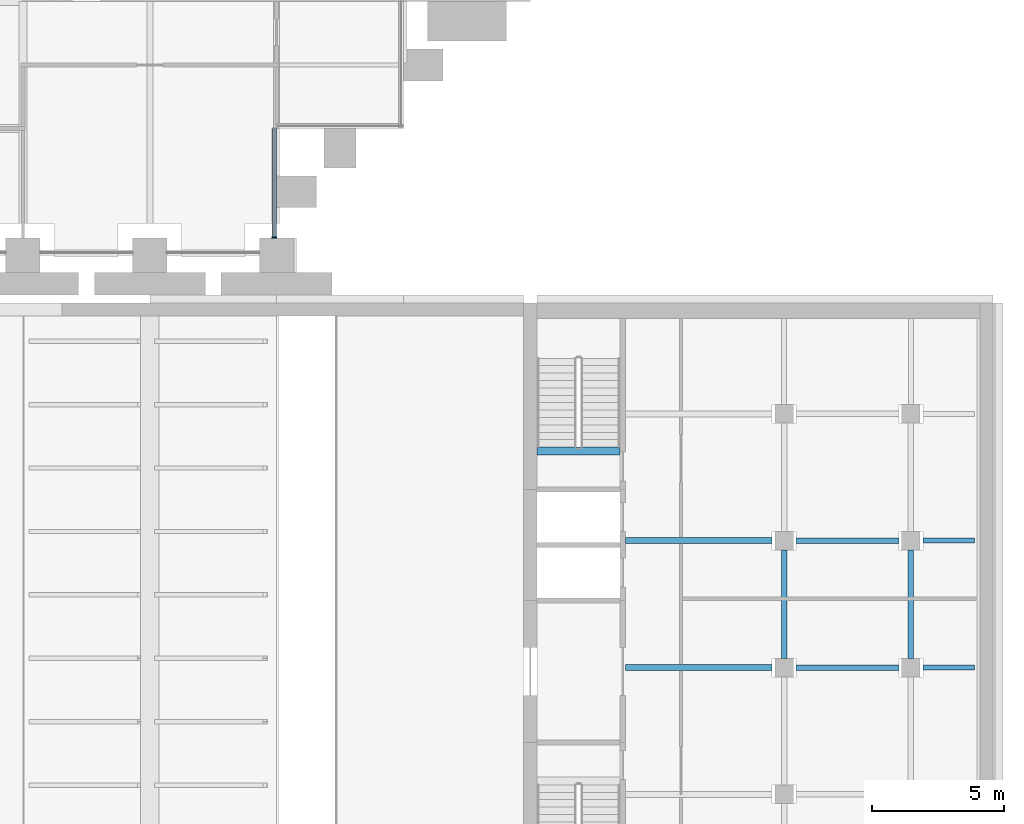
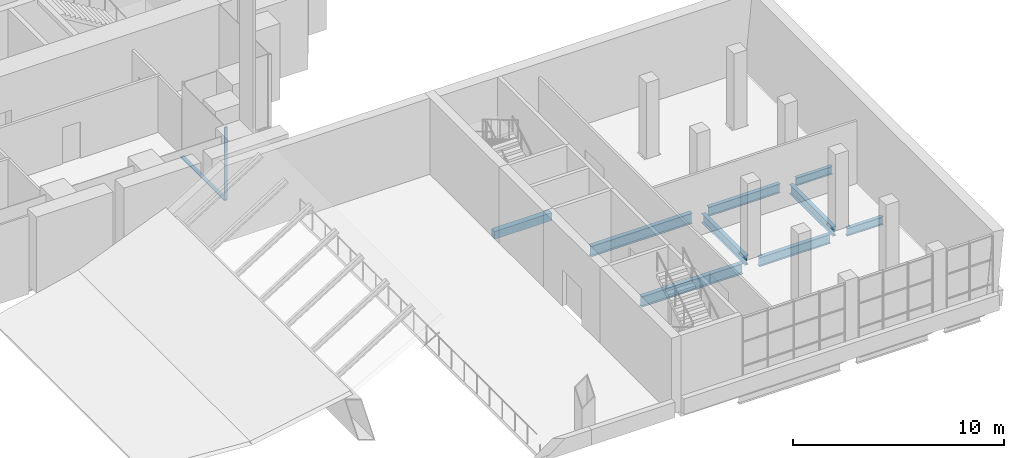
# One storey, part 12 of 32: 9 beams, 2 members, 1 element without a shape of its own.
"""IFC4 building model written with IfcOpenShell, lengths in metres."""

from ifc_helpers import new_model, si_unit, direction, frame, origin, origin_2d, place, context, subcontext, project, spatial, rectangle, i_section, extrude, material, material_profile, profile_set, type_object, element, aggregate, save


model = new_model("IFC4")

# Units and contexts
model_context = context("Model", 3, precision=1e-05, world=origin(), true_north=direction((0.0, 1.0)))
body_context = subcontext(model_context, "Body", "Model", "MODEL_VIEW")
ifc_project = project(units=[si_unit("LENGTHUNIT", "METRE"), si_unit("AREAUNIT", "SQUARE_METRE"), si_unit("VOLUMEUNIT", "CUBIC_METRE"), si_unit("PLANEANGLEUNIT", "RADIAN"), si_unit("MASSUNIT", "GRAM", prefix="KILO")], contexts=[model_context])

# Site, building, storey
site_placement = place(None, origin())
site = spatial("IfcSite", under=ifc_project, at=site_placement, CompositionType="ELEMENT")
building_placement = place(site_placement, origin())
building = spatial("IfcBuilding", under=site, at=building_placement, Name="Baori Bourse Tower", CompositionType="ELEMENT")
storey_placement = place(building_placement, frame((0.0, 0.0, 12.60009765625)))
storey = spatial("IfcBuildingStorey", under=building, at=storey_placement, Name="L01", CompositionType="ELEMENT", Elevation=12.60009765625)

# Curtain wall, members
ifc_material_1 = material(Name="Pale anodised aluminium", Category="aluminium")
curtain_wall_type = type_object("IfcCurtainWallType", Name="CW2 Curtain wall", PredefinedType="NOTDEFINED", material=ifc_material_1)
curtain_wall_placement = place(storey_placement, origin())
curtain_wall = element("IfcCurtainWall", 1, at=curtain_wall_placement, inside=storey, type_object=curtain_wall_type, Name="Curtain wall CW2 L01 12", PredefinedType="NOTDEFINED")
ifc_material_2 = material(Name="Pale anodised aluminium", Category="aluminium")
ifc_material_profile_1 = material_profile(ifc_material_2, rectangle(XDim=0.179931640625, YDim=0.054931640625, at=origin_2d()), Name="Mullion 55x180")
ifc_profile_set_1 = profile_set([ifc_material_profile_1], Name="Pale anodised aluminium")
member_type_1 = type_object("IfcMemberType", Name="CW2 Curtain wall mullion", PredefinedType="MULLION", material=ifc_profile_set_1)
member_1_placement = place(storey_placement, frame((47.909912109375, 0.677490234375, 0.06982421875), z_axis=(0.0, 0.0, 1.0), x_axis=(-1.0, 0.0, 0.0)))
member_1 = element("IfcMember", 2, at=member_1_placement, type_object=member_type_1, Name="Curtain wall CW2 mullion", PredefinedType="MULLION", context=body_context, shape_type="SweptSolid", body=[
    extrude(rectangle(XDim=0.179931640625, YDim=0.054931640625, at=origin_2d()), origin(), (0.0, 0.0, 1.0), 4.170166015625),
])
ifc_material_3 = material(Name="Pale anodised aluminium", Category="aluminium")
ifc_material_profile_2 = material_profile(ifc_material_3, rectangle(XDim=0.179931640625, YDim=0.070068359375, at=origin_2d()), Name="Transom 70x180")
ifc_profile_set_2 = profile_set([ifc_material_profile_2], Name="Pale anodised aluminium")
member_type_2 = type_object("IfcMemberType", Name="CW2 Curtain wall transom", PredefinedType="USERDEFINED", material=ifc_profile_set_2)
member_2_placement = place(storey_placement, frame((47.909912109375, 0.64990234375, 0.034912109375), z_axis=(0.0, 1.0, 0.0), x_axis=(-1.0, 0.0, 0.0)))
member_2 = element("IfcMember", 3, at=member_2_placement, type_object=member_type_2, Name="Curtain wall CW2 sill rail", ObjectType="TRANSOM", PredefinedType="USERDEFINED", context=body_context, shape_type="SweptSolid", body=[
    extrude(rectangle(XDim=0.179931640625, YDim=0.070068359375, at=origin_2d()), origin(), (0.0, 0.0, 1.0), 4.150146484375),
])
aggregate(curtain_wall, [member_2, member_1])

# Beams
ifc_material_4 = material(Name="Concrete f'c 40 MPa", Category="concrete")
ifc_material_profile_3 = material_profile(ifc_material_4, rectangle(XDim=0.300048828125, YDim=0.449951171875, at=origin_2d()), Name="Stair trimmer beam 300x450")
ifc_profile_set_3 = profile_set([ifc_material_profile_3], Name="Concrete f'c 40 MPa")
beam_type_1 = type_object("IfcBeamType", Name="Stair trimmer beam 300x450", PredefinedType="BEAM", material=ifc_profile_set_3)
beam_placement = place(storey_placement, frame((61.0, -7.409912109375, -0.525146484375), z_axis=(-1.0, 0.0, 0.0), x_axis=(0.0, -1.0, 0.0)))
element("IfcBeam", 4, at=beam_placement, inside=storey, type_object=beam_type_1, Name="wing/L01/Etrimmer/001", PredefinedType="BEAM", context=body_context, shape_type="SweptSolid", body=[
    extrude(rectangle(XDim=0.300048828125, YDim=0.449951171875, at=origin_2d()), origin(), (0.0, 0.0, 1.0), 3.14990234375),
])
ifc_material_5 = material(Name="Steel A992 Gr 50", Category="steel")
ifc_material_profile_4 = material_profile(ifc_material_5, i_section(OverallWidth=0.1904296875, OverallDepth=0.457275390625, WebThickness=0.009033203125, FlangeThickness=0.014404296875, at=origin_2d()), Name="W18x50")
ifc_profile_set_4 = profile_set([ifc_material_profile_4], Name="Steel A992 Gr 50")
beam_type_2 = type_object("IfcBeamType", Name="Wing beam W18x50", PredefinedType="BEAM", material=ifc_profile_set_4)
for number, where, z_axis, x_axis, name in (
    (5, (74.415771484375, -15.60009765625, -0.52880859375), (-1.0, 0.0, 0.0), (0.0, -1.0, 0.0), "wing/L01/Ebeam/007"),
    (6, (74.415771484375, -10.800048828125, -0.52880859375), (-1.0, 0.0, 0.0), (0.0, -1.0, 0.0), "wing/L01/Ebeam/010"),
):
    element("IfcBeam", number, at=place(storey_placement, frame(where, z_axis=z_axis, x_axis=x_axis)), inside=storey, type_object=beam_type_2, Name=name, PredefinedType="BEAM", context=body_context, shape_type="SweptSolid", body=[
        extrude(i_section(OverallWidth=0.1904296875, OverallDepth=0.457275390625, WebThickness=0.009033203125, FlangeThickness=0.014404296875, at=origin_2d()), origin(), (0.0, 0.0, 1.0), 1.9658203125),
    ])
ifc_material_6 = material(Name="Steel A992 Gr 50", Category="steel")
ifc_material_profile_5 = material_profile(ifc_material_6, i_section(OverallWidth=0.209228515625, OverallDepth=0.533447265625, WebThickness=0.01025390625, FlangeThickness=0.015625, at=origin_2d()), Name="W21x62")
ifc_profile_set_5 = profile_set([ifc_material_profile_5], Name="Steel A992 Gr 50")
beam_type_3 = type_object("IfcBeamType", Name="Wing beam W21x62", PredefinedType="BEAM", material=ifc_profile_set_5)
for number, where, z_axis, x_axis, name in (
    (7, (71.550048828125, -15.60009765625, -0.56689453125), (-1.0, 0.0, 0.0), (0.0, -1.0, 0.0), "wing/L01/Ebeam/008"),
    (8, (71.550048828125, -10.800048828125, -0.56689453125), (-1.0, 0.0, 0.0), (0.0, -1.0, 0.0), "wing/L01/Ebeam/011"),
):
    element("IfcBeam", number, at=place(storey_placement, frame(where, z_axis=z_axis, x_axis=x_axis)), inside=storey, type_object=beam_type_3, Name=name, PredefinedType="BEAM", context=body_context, shape_type="SweptSolid", body=[
        extrude(i_section(OverallWidth=0.209228515625, OverallDepth=0.533447265625, WebThickness=0.01025390625, FlangeThickness=0.015625, at=origin_2d()), origin(), (0.0, 0.0, 1.0), 3.900146484375),
    ])
for number, where, z_axis, x_axis, name in (
    (9, (72.0, -15.25, -0.56689453125), (0.0, 1.0, 0.0), (-1.0, 0.0, 0.0), "wing/L01/Ebeamy/003"),
    (10, (67.199951171875, -15.25, -0.56689453125), (0.0, 1.0, 0.0), (-1.0, 0.0, 0.0), "wing/L01/Ebeamy/008"),
):
    element("IfcBeam", number, at=place(storey_placement, frame(where, z_axis=z_axis, x_axis=x_axis)), inside=storey, type_object=beam_type_3, Name=name, PredefinedType="BEAM", context=body_context, shape_type="SweptSolid", body=[
        extrude(i_section(OverallWidth=0.209228515625, OverallDepth=0.533447265625, WebThickness=0.01025390625, FlangeThickness=0.015625, at=origin_2d()), origin(), (0.0, 0.0, 1.0), 4.10009765625),
    ])
ifc_material_7 = material(Name="Steel A992 Gr 50", Category="steel")
ifc_material_profile_6 = material_profile(ifc_material_7, i_section(OverallWidth=0.22900390625, OverallDepth=0.612060546875, WebThickness=0.011962890625, FlangeThickness=0.01953125, at=origin_2d()), Name="W24x84")
ifc_profile_set_6 = profile_set([ifc_material_profile_6], Name="Steel A992 Gr 50")
beam_type_4 = type_object("IfcBeamType", Name="Wing beam W24x84", PredefinedType="BEAM", material=ifc_profile_set_6)
for number, where, z_axis, x_axis, name in (
    (11, (66.75, -15.60009765625, -0.606201171875), (-1.0, 0.0, 0.0), (0.0, -1.0, 0.0), "wing/L01/Ebeam/009"),
    (12, (66.75, -10.800048828125, -0.606201171875), (-1.0, 0.0, 0.0), (0.0, -1.0, 0.0), "wing/L01/Ebeam/012"),
):
    element("IfcBeam", number, at=place(storey_placement, frame(where, z_axis=z_axis, x_axis=x_axis)), inside=storey, type_object=beam_type_4, Name=name, PredefinedType="BEAM", context=body_context, shape_type="SweptSolid", body=[
        extrude(i_section(OverallWidth=0.22900390625, OverallDepth=0.612060546875, WebThickness=0.011962890625, FlangeThickness=0.01953125, at=origin_2d()), origin(), (0.0, 0.0, 1.0), 5.550048828125),
    ])

save(model, "model.ifc")
